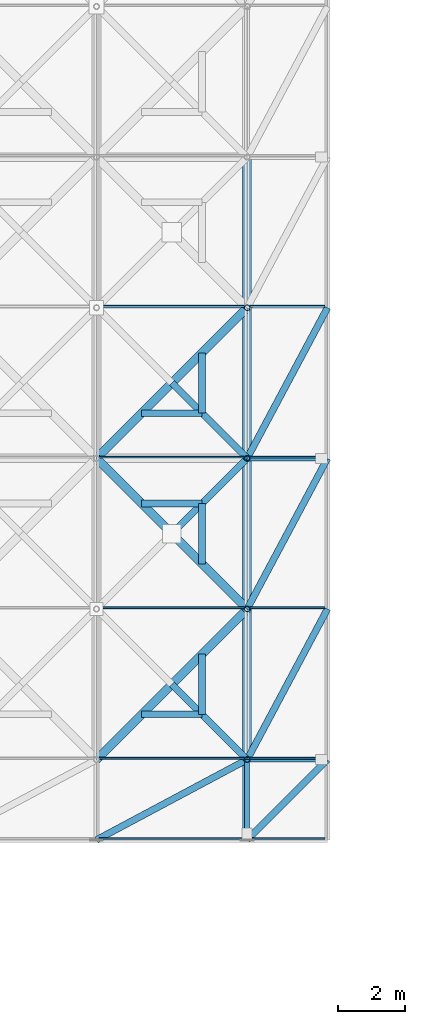
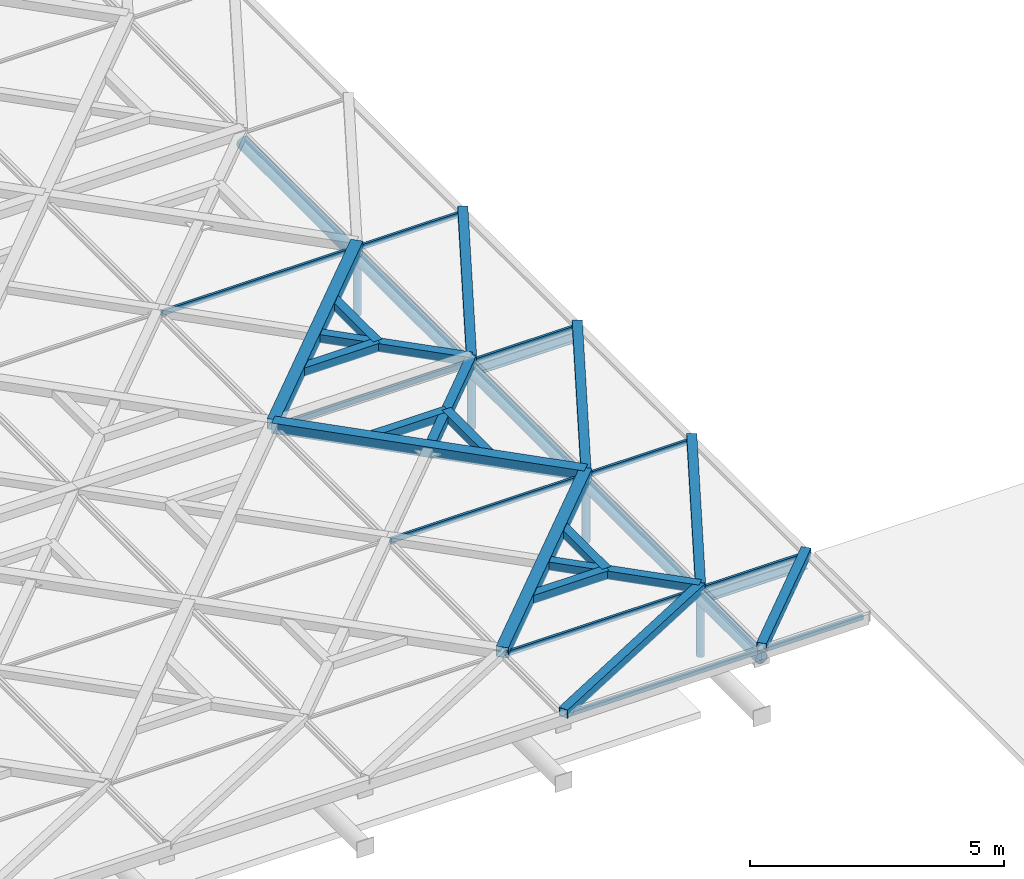
# One storey, part 49 of 80: 32 members, 3 beams, 2 elements without a shape of their own.
"""IFC4 building model written with IfcOpenShell, lengths in metres."""

from ifc_helpers import new_model, si_unit, direction, frame, origin, origin_2d, place, context, subcontext, project, spatial, rectangle, hollow_rectangle, hollow_circle, i_section, extrude, material, material_profile, profile_set, type_object, element, aggregate, save


model = new_model("IFC4")

# Units and contexts
model_context = context("Model", 3, precision=1e-05, world=origin(), true_north=direction((0.0, 1.0)))
body_context = subcontext(model_context, "Body", "Model", "MODEL_VIEW")
ifc_project = project(units=[si_unit("LENGTHUNIT", "METRE"), si_unit("AREAUNIT", "SQUARE_METRE"), si_unit("VOLUMEUNIT", "CUBIC_METRE"), si_unit("PLANEANGLEUNIT", "RADIAN"), si_unit("MASSUNIT", "GRAM", prefix="KILO"), si_unit("THERMODYNAMICTEMPERATUREUNIT", "KELVIN"), si_unit("POWERUNIT", "WATT")], contexts=[model_context])

# Site, building, storey
site_placement = place(None, origin())
site = spatial("IfcSite", under=ifc_project, at=site_placement, CompositionType="ELEMENT")
building_placement = place(site_placement, origin())
building = spatial("IfcBuilding", under=site, at=building_placement, Name="Tallowbark Science Centre", CompositionType="ELEMENT")
storey_placement = place(building_placement, frame((0.0, 0.0, 25.949951171875)))
storey = spatial("IfcBuildingStorey", under=building, at=storey_placement, Name="ROOF", CompositionType="ELEMENT", Elevation=25.949951171875)

# Beams
ifc_material_1 = material(Name="White Architectural Painted Steel Grade C350L0 (350 MPa)", Category="steel")
ifc_material_profile_1 = material_profile(ifc_material_1, i_section(OverallWidth=0.146484375, OverallDepth=0.256103515625, WebThickness=0.00634765625, FlangeThickness=0.010986328125, FilletRadius=0.0087890625, at=origin_2d()), Name="250UB37.3")
ifc_profile_set_1 = profile_set([ifc_material_profile_1], Name="White Architectural Painted Steel Grade C350L0 (350 MPa)")
beam_type = type_object("IfcBeamType", Name="BM-OUT250", PredefinedType="BEAM", material=ifc_profile_set_1)
for number, where, z_axis, x_axis, name in (
    (1, (103.5, 4.5, 0.199951171875), (0.0, -1.0, 0.0), (1.0, 0.0, 0.0), "Star Screen Outrigger Tie Beam S-111"),
    (2, (103.5, 4.5, 0.199951171875), (1.0, 0.0, 0.0), (0.0, 1.0, 0.0), "Star Screen Outrigger Tie Beam E-114"),
    (3, (103.5, 13.5, 0.199951171875), (1.0, 0.0, 0.0), (0.0, 1.0, 0.0), "Star Screen Outrigger Tie Beam E-116"),
):
    element("IfcBeam", number, at=place(storey_placement, frame(where, z_axis=z_axis, x_axis=x_axis)), inside=storey, type_object=beam_type, Name=name, PredefinedType="BEAM", context=body_context, shape_type="SweptSolid", body=[
        extrude(i_section(OverallWidth=0.146484375, OverallDepth=0.256103515625, WebThickness=0.00634765625, FlangeThickness=0.010986328125, FilletRadius=0.0087890625, at=origin_2d()), origin(), (0.0, 0.0, 1.0), 2.39990234375),
    ])

# Curtain wall, members
ifc_material_2 = material(Name="Blue-Tinted Laminated Low-E Skylight Glass", Category="glass")
curtain_wall_type = type_object("IfcCurtainWallType", Name="CW-SKY-ROOF", PredefinedType="NOTDEFINED", material=ifc_material_2)
curtain_wall_1_placement = place(storey_placement, origin())
curtain_wall_1 = element("IfcCurtainWall", 4, at=curtain_wall_1_placement, inside=storey, type_object=curtain_wall_type, Name="Exhibition Star-Screen Skylight Bay 11", PredefinedType="NOTDEFINED")
ifc_material_3 = material(Name="Anodised Architectural Aluminium Alloy 6063-T6", Category="aluminium")
ifc_material_profile_2 = material_profile(ifc_material_3, rectangle(XDim=0.054931640625, YDim=0.1201171875, at=origin_2d()), Name="ALU55x120")
ifc_profile_set_2 = profile_set([ifc_material_profile_2], Name="Anodised Architectural Aluminium Alloy 6063-T6")
member_type_1 = type_object("IfcMemberType", Name="CWM-SKY-TRN", PredefinedType="USERDEFINED", material=ifc_profile_set_2)
member_1_placement = place(storey_placement, frame((99.080078125, 2.139892578125, 0.35205078125), z_axis=(1.0, 0.0, 0.0), x_axis=(0.0, 1.0, 0.0)))
member_1 = element("IfcMember", 5, at=member_1_placement, type_object=member_type_1, Name="Skylight Bay 11 Transom 1", ObjectType="TRANSOM", PredefinedType="USERDEFINED", context=body_context, shape_type="SweptSolid", body=[
    extrude(rectangle(XDim=0.054931640625, YDim=0.1201171875, at=origin_2d()), origin(), (0.0, 0.0, 1.0), 4.33984375),
])
member_2_placement = place(storey_placement, frame((99.080078125, 4.5400390625, 0.35205078125), z_axis=(1.0, 0.0, 0.0), x_axis=(0.0, 1.0, 0.0)))
member_2 = element("IfcMember", 6, at=member_2_placement, type_object=member_type_1, Name="Skylight Bay 11 Transom 2", ObjectType="TRANSOM", PredefinedType="USERDEFINED", context=body_context, shape_type="SweptSolid", body=[
    extrude(rectangle(XDim=0.054931640625, YDim=0.1201171875, at=origin_2d()), origin(), (0.0, 0.0, 1.0), 4.33984375),
])
member_3_placement = place(storey_placement, frame((99.080078125, 9.0400390625, 0.35205078125), z_axis=(1.0, 0.0, 0.0), x_axis=(0.0, 1.0, 0.0)))
member_3 = element("IfcMember", 7, at=member_3_placement, type_object=member_type_1, Name="Skylight Bay 11 Transom 3", ObjectType="TRANSOM", PredefinedType="USERDEFINED", context=body_context, shape_type="SweptSolid", body=[
    extrude(rectangle(XDim=0.054931640625, YDim=0.1201171875, at=origin_2d()), origin(), (0.0, 0.0, 1.0), 4.33984375),
])
member_4_placement = place(storey_placement, frame((99.080078125, 13.5400390625, 0.35205078125), z_axis=(1.0, 0.0, 0.0), x_axis=(0.0, 1.0, 0.0)))
member_4 = element("IfcMember", 8, at=member_4_placement, type_object=member_type_1, Name="Skylight Bay 11 Transom 4", ObjectType="TRANSOM", PredefinedType="USERDEFINED", context=body_context, shape_type="SweptSolid", body=[
    extrude(rectangle(XDim=0.054931640625, YDim=0.1201171875, at=origin_2d()), origin(), (0.0, 0.0, 1.0), 4.33984375),
])
member_5_placement = place(storey_placement, frame((99.080078125, 18.0400390625, 0.35205078125), z_axis=(1.0, 0.0, 0.0), x_axis=(0.0, 1.0, 0.0)))
member_5 = element("IfcMember", 9, at=member_5_placement, type_object=member_type_1, Name="Skylight Bay 11 Transom 5", ObjectType="TRANSOM", PredefinedType="USERDEFINED", context=body_context, shape_type="SweptSolid", body=[
    extrude(rectangle(XDim=0.054931640625, YDim=0.1201171875, at=origin_2d()), origin(), (0.0, 0.0, 1.0), 4.33984375),
])
aggregate(curtain_wall_1, [member_1, member_2, member_3, member_4, member_5])

curtain_wall_2_placement = place(storey_placement, origin())
curtain_wall_2 = element("IfcCurtainWall", 10, at=curtain_wall_2_placement, inside=storey, type_object=curtain_wall_type, Name="Exhibition Star-Screen Skylight Bay 12", PredefinedType="NOTDEFINED")
member_6_placement = place(storey_placement, frame((103.580078125, 2.139892578125, 0.35205078125), z_axis=(1.0, 0.0, 0.0), x_axis=(0.0, 1.0, 0.0)))
member_6 = element("IfcMember", 11, at=member_6_placement, type_object=member_type_1, Name="Skylight Bay 12 Transom 1", ObjectType="TRANSOM", PredefinedType="USERDEFINED", context=body_context, shape_type="SweptSolid", body=[
    extrude(rectangle(XDim=0.054931640625, YDim=0.1201171875, at=origin_2d()), origin(), (0.0, 0.0, 1.0), 2.239990234375),
])
member_7_placement = place(storey_placement, frame((103.580078125, 4.5400390625, 0.35205078125), z_axis=(1.0, 0.0, 0.0), x_axis=(0.0, 1.0, 0.0)))
member_7 = element("IfcMember", 12, at=member_7_placement, type_object=member_type_1, Name="Skylight Bay 12 Transom 2", ObjectType="TRANSOM", PredefinedType="USERDEFINED", context=body_context, shape_type="SweptSolid", body=[
    extrude(rectangle(XDim=0.054931640625, YDim=0.1201171875, at=origin_2d()), origin(), (0.0, 0.0, 1.0), 2.239990234375),
])
member_8_placement = place(storey_placement, frame((103.580078125, 9.0400390625, 0.35205078125), z_axis=(1.0, 0.0, 0.0), x_axis=(0.0, 1.0, 0.0)))
member_8 = element("IfcMember", 13, at=member_8_placement, type_object=member_type_1, Name="Skylight Bay 12 Transom 3", ObjectType="TRANSOM", PredefinedType="USERDEFINED", context=body_context, shape_type="SweptSolid", body=[
    extrude(rectangle(XDim=0.054931640625, YDim=0.1201171875, at=origin_2d()), origin(), (0.0, 0.0, 1.0), 2.239990234375),
])
member_9_placement = place(storey_placement, frame((103.580078125, 13.5400390625, 0.35205078125), z_axis=(1.0, 0.0, 0.0), x_axis=(0.0, 1.0, 0.0)))
member_9 = element("IfcMember", 14, at=member_9_placement, type_object=member_type_1, Name="Skylight Bay 12 Transom 4", ObjectType="TRANSOM", PredefinedType="USERDEFINED", context=body_context, shape_type="SweptSolid", body=[
    extrude(rectangle(XDim=0.054931640625, YDim=0.1201171875, at=origin_2d()), origin(), (0.0, 0.0, 1.0), 2.239990234375),
])
member_10_placement = place(storey_placement, frame((103.580078125, 18.0400390625, 0.35205078125), z_axis=(1.0, 0.0, 0.0), x_axis=(0.0, 1.0, 0.0)))
member_10 = element("IfcMember", 15, at=member_10_placement, type_object=member_type_1, Name="Skylight Bay 12 Transom 5", ObjectType="TRANSOM", PredefinedType="USERDEFINED", context=body_context, shape_type="SweptSolid", body=[
    extrude(rectangle(XDim=0.054931640625, YDim=0.1201171875, at=origin_2d()), origin(), (0.0, 0.0, 1.0), 2.239990234375),
])
aggregate(curtain_wall_2, [member_6, member_7, member_8, member_9, member_10])

# Members
ifc_material_profile_3 = material_profile(ifc_material_1, hollow_rectangle(XDim=0.25, YDim=0.25, WallThickness=0.009033203125, at=origin_2d()), Name="250x250x9.0SHS")
ifc_profile_set_3 = profile_set([ifc_material_profile_3], Name="White Architectural Painted Steel Grade C350L0 (350 MPa)")
member_type_2 = type_object("IfcMemberType", Name="SCR-CHD200", PredefinedType="CHORD", material=ifc_profile_set_3)
for number, where, z_axis, x_axis, name in (
    (16, (99.0, 4.5, 0.449951171875), (0.707106781187, 0.707106781187, 0.0), (-0.707106781187, 0.707106781187, 0.0), "Star Screen Octagram Diamond Chord TOP-70-1"),
    (17, (103.5, 9.0, 0.449951171875), (-0.707106781187, 0.707106781187, 0.0), (-0.707106781187, -0.707106781187, 0.0), "Star Screen Octagram Diamond Chord TOP-70-2"),
    (18, (99.0, 13.5, 0.449951171875), (0.707106781187, 0.707106781187, 0.0), (-0.707106781187, 0.707106781187, 0.0), "Star Screen Octagram Diamond Chord TOP-71-1"),
):
    element("IfcMember", number, at=place(storey_placement, frame(where, z_axis=z_axis, x_axis=x_axis)), inside=storey, type_object=member_type_2, Name=name, PredefinedType="CHORD", context=body_context, shape_type="SweptSolid", body=[
        extrude(hollow_rectangle(XDim=0.25, YDim=0.25, WallThickness=0.009033203125, at=origin_2d()), origin(), (0.0, 0.0, 1.0), 6.364013671875),
    ])
ifc_material_profile_4 = material_profile(ifc_material_1, hollow_rectangle(XDim=0.199951171875, YDim=0.199951171875, WallThickness=0.009033203125, at=origin_2d()), Name="200x200x9.0SHS")
ifc_profile_set_4 = profile_set([ifc_material_profile_4], Name="White Architectural Painted Steel Grade C350L0 (350 MPa)")
member_type_3 = type_object("IfcMemberType", Name="SCR-STAR139", PredefinedType="BRACE", material=ifc_profile_set_4)
for number, where, z_axis, x_axis, name in (
    (19, (101.25, 11.25, 0.449951171875), (0.707106781187, 0.707106781187, 0.0), (-0.707106781187, 0.707106781187, 0.0), "Star Screen Continuous X-Diagonal D1B TOP-70"),
    (20, (101.25, 6.75, 0.449951171875), (0.707106781187, -0.707106781187, 0.0), (0.707106781187, 0.707106781187, 0.0), "Star Screen Split X-Diagonal D2D TOP-70"),
    (21, (101.25, 15.75, 0.449951171875), (0.707106781187, -0.707106781187, 0.0), (0.707106781187, 0.707106781187, 0.0), "Star Screen Split X-Diagonal D2D TOP-71"),
):
    element("IfcMember", number, at=place(storey_placement, frame(where, z_axis=z_axis, x_axis=x_axis)), inside=storey, type_object=member_type_3, Name=name, PredefinedType="BRACE", context=body_context, shape_type="SweptSolid", body=[
        extrude(hollow_rectangle(XDim=0.199951171875, YDim=0.199951171875, WallThickness=0.009033203125, at=origin_2d()), origin(), (0.0, 0.0, 1.0), 3.181884765625),
    ])
member_11_placement = place(storey_placement, frame((99.0, 2.10009765625, 0.449951171875), z_axis=(0.882360891967, 0.470573327259, 0.0), x_axis=(-0.470573327259, 0.882360891967, 0.0)))
element("IfcMember", 22, at=member_11_placement, inside=storey, type_object=member_type_3, Name="Top Perimeter Gap Star Diagonal 11-1", PredefinedType="BRACE", context=body_context, shape_type="SweptSolid", body=[
    extrude(hollow_rectangle(XDim=0.199951171875, YDim=0.199951171875, WallThickness=0.009033203125, at=origin_2d()), origin(), (0.0, 0.0, 1.0), 5.099853515625),
])
member_12_placement = place(storey_placement, frame((103.5, 2.10009765625, 0.449951171875), z_axis=(0.707106781187, 0.707106781187, 0.0), x_axis=(-0.707106781187, 0.707106781187, 0.0)))
element("IfcMember", 23, at=member_12_placement, inside=storey, type_object=member_type_3, Name="Top Perimeter Gap Star Diagonal 12-1", PredefinedType="BRACE", context=body_context, shape_type="SweptSolid", body=[
    extrude(hollow_rectangle(XDim=0.199951171875, YDim=0.199951171875, WallThickness=0.009033203125, at=origin_2d()), origin(), (0.0, 0.0, 1.0), 3.39404296875),
])
for number, where, z_axis, x_axis, name in (
    (24, (103.5, 4.5, 0.449951171875), (0.470573327259, 0.882360891967, 0.0), (-0.882360891967, 0.470573327259, 0.0), "Top Perimeter Gap Star Diagonal 12-2"),
    (25, (103.5, 9.0, 0.449951171875), (0.470573327259, 0.882360891967, 0.0), (-0.882360891967, 0.470573327259, 0.0), "Top Perimeter Gap Star Diagonal 12-3"),
    (26, (103.5, 13.5, 0.449951171875), (0.470573327259, 0.882360891967, 0.0), (-0.882360891967, 0.470573327259, 0.0), "Top Perimeter Gap Star Diagonal 12-4"),
):
    element("IfcMember", number, at=place(storey_placement, frame(where, z_axis=z_axis, x_axis=x_axis)), inside=storey, type_object=member_type_3, Name=name, PredefinedType="BRACE", context=body_context, shape_type="SweptSolid", body=[
        extrude(hollow_rectangle(XDim=0.199951171875, YDim=0.199951171875, WallThickness=0.009033203125, at=origin_2d()), origin(), (0.0, 0.0, 1.0), 5.099853515625),
    ])
ifc_material_profile_5 = material_profile(ifc_material_1, hollow_rectangle(XDim=0.199951171875, YDim=0.199951171875, WallThickness=0.009033203125, at=origin_2d()), Name="200x200x9.0SHS")
ifc_profile_set_5 = profile_set([ifc_material_profile_5], Name="White Architectural Painted Steel Grade C350L0 (350 MPa)")
member_type_4 = type_object("IfcMemberType", Name="SCR-SUB150", PredefinedType="BRACE", material=ifc_profile_set_5)
for number, where, z_axis, x_axis, name in (
    (27, (102.14990234375, 5.85009765625, 0.449951171875), (-1.0, 0.0, 0.0), (0.0, -1.0, 0.0), "Star Screen Octagram Point Ray TOP-70-3"),
    (28, (102.14990234375, 5.85009765625, 0.449951171875), (0.0, 1.0, 0.0), (-1.0, 0.0, 0.0), "Star Screen Octagram Point Ray TOP-70-4"),
    (29, (102.14990234375, 12.14990234375, 0.449951171875), (-1.0, 0.0, 0.0), (0.0, -1.0, 0.0), "Star Screen Octagram Point Ray TOP-70-5"),
    (30, (102.14990234375, 12.14990234375, 0.449951171875), (0.0, -1.0, 0.0), (1.0, 0.0, 0.0), "Star Screen Octagram Point Ray TOP-70-6"),
    (31, (102.14990234375, 14.85009765625, 0.449951171875), (-1.0, 0.0, 0.0), (0.0, -1.0, 0.0), "Star Screen Octagram Point Ray TOP-71-3"),
    (32, (102.14990234375, 14.85009765625, 0.449951171875), (0.0, 1.0, 0.0), (-1.0, 0.0, 0.0), "Star Screen Octagram Point Ray TOP-71-4"),
):
    element("IfcMember", number, at=place(storey_placement, frame(where, z_axis=z_axis, x_axis=x_axis)), inside=storey, type_object=member_type_4, Name=name, PredefinedType="BRACE", context=body_context, shape_type="SweptSolid", body=[
        extrude(hollow_rectangle(XDim=0.199951171875, YDim=0.199951171875, WallThickness=0.009033203125, at=origin_2d()), origin(), (0.0, 0.0, 1.0), 1.7998046875),
    ])
ifc_material_profile_6 = material_profile(ifc_material_1, hollow_circle(Radius=0.136474609375, WallThickness=0.00927734375, at=origin_2d()), Name="273.1x9.3CHS")
ifc_profile_set_6 = profile_set([ifc_material_profile_6], Name="White Architectural Painted Steel Grade C350L0 (350 MPa)")
member_type_5 = type_object("IfcMemberType", Name="TR-CHD273", PredefinedType="CHORD", material=ifc_profile_set_6)
member_13_placement = place(storey_placement, frame((103.5, 2.10009765625, 0.18994140625), z_axis=(0.0, 1.0, 0.0), x_axis=(-1.0, 0.0, 0.0)))
element("IfcMember", 33, at=member_13_placement, inside=storey, type_object=member_type_5, Name="Exhibition Roof Truss South Top Chord 11", PredefinedType="CHORD", context=body_context, shape_type="SweptSolid", body=[
    extrude(hollow_circle(Radius=0.136474609375, WallThickness=0.00927734375, at=origin_2d()), origin(), (0.0, 0.0, 1.0), 20.39990234375),
])
ifc_material_profile_7 = material_profile(ifc_material_1, hollow_circle(Radius=0.084228515625, WallThickness=0.007080078125, at=origin_2d()), Name="168.3x7.1CHS")
ifc_profile_set_7 = profile_set([ifc_material_profile_7], Name="White Architectural Painted Steel Grade C350L0 (350 MPa)")
member_type_6 = type_object("IfcMemberType", Name="TR-WEB168", PredefinedType="BRACE", material=ifc_profile_set_7)
for number, where, z_axis, x_axis, name in (
    (34, (103.5, 4.5, -1.199951171875), (0.0, 0.0, 1.0), (1.0, 0.0, 0.0), "Exhibition Roof Truss Web 11-4.5"),
    (35, (103.5, 9.0, -1.199951171875), (0.0, 0.0, 1.0), (1.0, 0.0, 0.0), "Exhibition Roof Truss Web 11-9"),
    (36, (103.5, 13.5, -1.199951171875), (0.0, 0.0, 1.0), (1.0, 0.0, 0.0), "Exhibition Roof Truss Web 11-13.5"),
    (37, (103.5, 18.0, -1.199951171875), (0.0, 0.0, 1.0), (1.0, 0.0, 0.0), "Exhibition Roof Truss Web 11-18"),
):
    element("IfcMember", number, at=place(storey_placement, frame(where, z_axis=z_axis, x_axis=x_axis)), inside=storey, type_object=member_type_6, Name=name, PredefinedType="BRACE", context=body_context, shape_type="SweptSolid", body=[
        extrude(hollow_circle(Radius=0.084228515625, WallThickness=0.007080078125, at=origin_2d()), origin(), (0.0, 0.0, 1.0), 1.389892578125),
    ])

save(model, "model.ifc")
